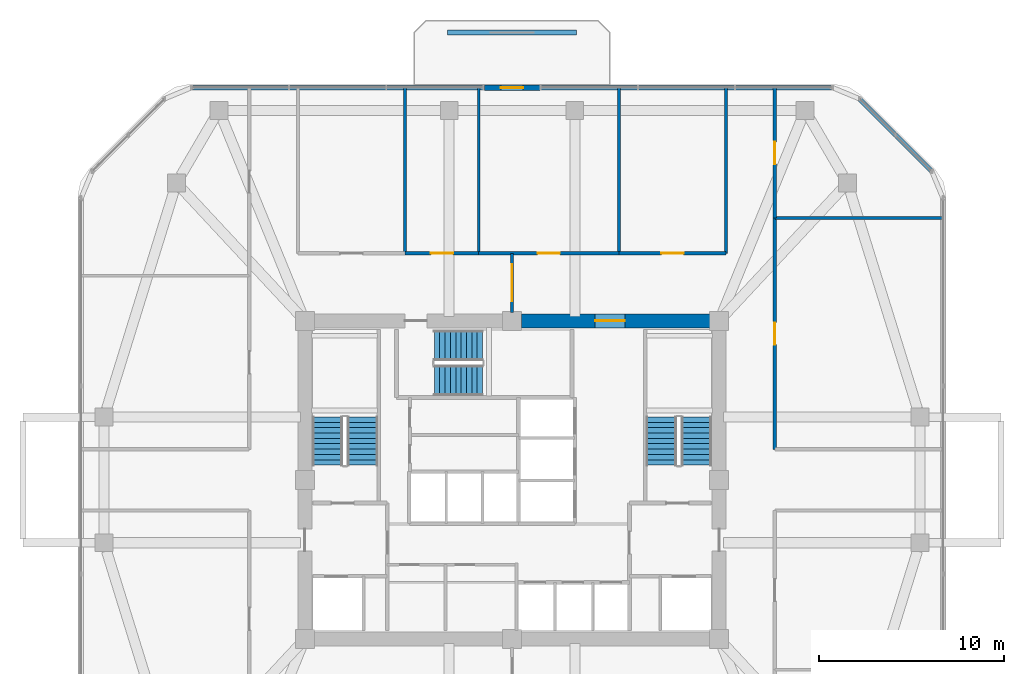
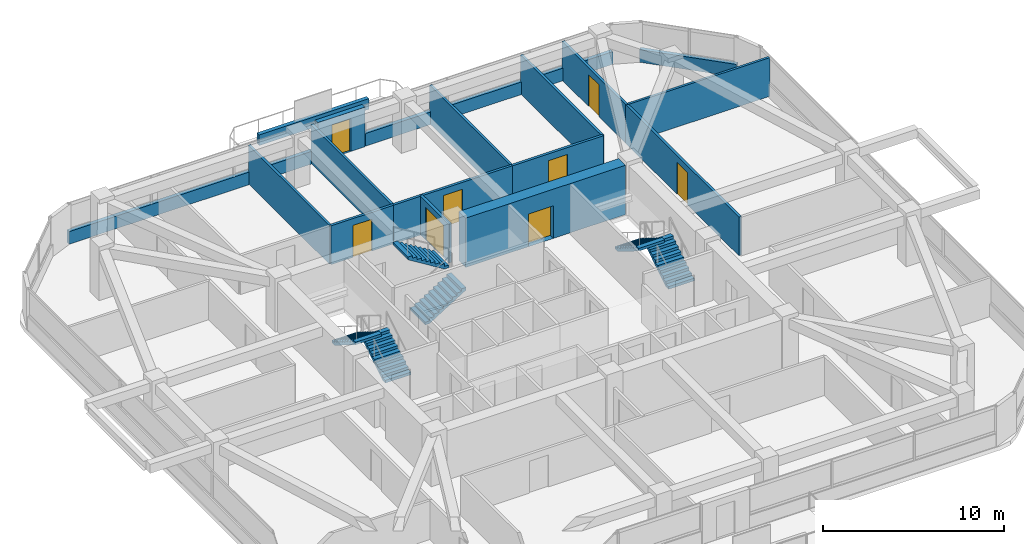
# One storey, part 9 of 11: 17 walls, 8 doors, 6 stair flights, 8 openings, 3 elements without a shape of their own.
"""IFC4 building model written with IfcOpenShell, lengths in metres."""

import ifcopenshell
import ifcopenshell.guid

model = None  # the IFC model being written
_history = None  # IfcOwnerHistory: only IFC2X3 demands one
_inside = {}  # id of a spatial element -> (the spatial element, [elements in it])
_under = {}  # id of a project, library or spatial element -> (it, [spatial elements below it])
_declared = {}  # id of a project -> (the project, [libraries it declares])
_typed = {}  # id of a type object -> (the type object, [elements of that type])
_made_of = {}  # id of a material, layer set ... -> (it, [elements and type objects made of it])


def new_model(schema):
    """Start an empty IFC model of exactly this schema.

    Asked for "IFC4X3", IfcOpenShell would pick the latest addendum, in which some entities
    have other attributes; the version numbers below select the first issue.
    IFC2X3 requires an IfcOwnerHistory on every rooted entity: one is made here for all.
    """
    global model, _history
    if schema == "IFC4X3":
        model = ifcopenshell.file(schema_version=(4, 3, 0, 0))
    else:
        model = ifcopenshell.file(schema=schema)
    _inside.clear()
    _under.clear()
    _declared.clear()
    _typed.clear()
    _made_of.clear()
    _history = None
    if model.schema == "IFC2X3":
        org = make("IfcOrganization", Name="unknown")
        user = make(
            "IfcPersonAndOrganization",
            ThePerson=make("IfcPerson", FamilyName="unknown"),
            TheOrganization=org,
        )
        app = make(
            "IfcApplication",
            ApplicationDeveloper=org,
            Version="unknown",
            ApplicationFullName="unknown",
            ApplicationIdentifier="unknown",
        )
        _history = make(
            "IfcOwnerHistory",
            OwningUser=user,
            OwningApplication=app,
            ChangeAction="ADDED",
            CreationDate=0,
        )
    return model


def make(cls, **values):
    """One entity of the class cls with the attributes given. An attribute that is None is left unset."""
    return model.create_entity(
        cls, **{name: value for name, value in values.items() if value is not None}
    )


def rooted(cls, **values):
    """An entity with a GlobalId (a new one), such as an element, a storey or a relation."""
    return make(cls, GlobalId=ifcopenshell.guid.new(), OwnerHistory=_history, **values)


def si_unit(unit_type, name, prefix=None):
    """IfcSIUnit, for example si_unit("LENGTHUNIT", "METRE", prefix="MILLI")."""
    return make("IfcSIUnit", UnitType=unit_type, Prefix=prefix, Name=name)


def derived_unit(unit_type, elements):
    """IfcDerivedUnit: a product of units, each with its exponent."""
    return make(
        "IfcDerivedUnit",
        Elements=[
            make("IfcDerivedUnitElement", Unit=unit, Exponent=power)
            for unit, power in elements
        ],
        UnitType=unit_type,
    )


def assignment(units):
    """IfcUnitAssignment: the units of a project."""
    return None if units is None else make("IfcUnitAssignment", Units=units)


def point(xyz):
    """IfcCartesianPoint."""
    return None if xyz is None else make("IfcCartesianPoint", Coordinates=xyz)


def direction(xyz):
    """IfcDirection."""
    return None if xyz is None else make("IfcDirection", DirectionRatios=xyz)


def frame(location, z_axis=None, x_axis=None):
    """IfcAxis2Placement3D, a coordinate frame: its origin and axes. An axis left out is left unset."""
    return make(
        "IfcAxis2Placement3D",
        Location=point(location),
        Axis=direction(z_axis),
        RefDirection=direction(x_axis),
    )


def frame_2d(location, x_axis=None):
    """IfcAxis2Placement2D, a coordinate frame in the plane: its origin and x axis."""
    return make(
        "IfcAxis2Placement2D", Location=point(location), RefDirection=direction(x_axis)
    )


def origin():
    """The frame at (0, 0, 0) with its axes left unset."""
    return frame((0.0, 0.0, 0.0))


def place(relative_to, where):
    """IfcLocalPlacement: puts the frame where relative to a parent placement (None: the world)."""
    return make(
        "IfcLocalPlacement", PlacementRelTo=relative_to, RelativePlacement=where
    )


def context(
    kind, dimensions, precision=None, world=None, true_north=None, identifier=None
):
    """IfcGeometricRepresentationContext, for example the 3D "Model" context."""
    return make(
        "IfcGeometricRepresentationContext",
        ContextIdentifier=identifier,
        ContextType=kind,
        CoordinateSpaceDimension=dimensions,
        Precision=precision,
        WorldCoordinateSystem=world,
        TrueNorth=true_north,
    )


def subcontext(parent, identifier, kind, view, scale=None):
    """IfcGeometricRepresentationSubContext, for example "Body" below "Model"."""
    return make(
        "IfcGeometricRepresentationSubContext",
        ContextIdentifier=identifier,
        ContextType=kind,
        ParentContext=parent,
        TargetScale=scale,
        TargetView=view,
    )


def project(units=None, contexts=None):
    """IfcProject with its units and contexts."""
    return rooted(
        "IfcProject",
        Name="project",
        RepresentationContexts=contexts,
        UnitsInContext=assignment(units),
    )


def spatial(cls, under=None, at=None, **own):
    """A site, building, storey or space (cls), placed at a placement, below another one or the project."""
    s = rooted(cls, ObjectPlacement=at, **own)
    if under is not None:
        _under.setdefault(under.id(), (under, []))[1].append(s)
    return s


def polyline(points):
    """IfcPolyline through the points."""
    return make("IfcPolyline", Points=[point(p) for p in points])


def profile(cls, at=None, kind="AREA", **sizes):
    """A parametric profile (cls). Its sizes go by their IFC names, for example OverallWidth=200.0."""
    return make(cls, ProfileType=kind, Position=at, **sizes)


def rectangle(**sizes):
    """IfcRectangleProfileDef."""
    return profile("IfcRectangleProfileDef", **sizes)


def outline(outer, holes=None, kind="AREA"):
    """IfcArbitraryClosedProfileDef: a profile drawn as a closed curve; with holes, ...WithVoids."""
    if holes is None:
        return make("IfcArbitraryClosedProfileDef", ProfileType=kind, OuterCurve=outer)
    return make(
        "IfcArbitraryProfileDefWithVoids",
        ProfileType=kind,
        OuterCurve=outer,
        InnerCurves=holes,
    )


def extrude(swept, where, along, depth):
    """IfcExtrudedAreaSolid: the profile swept, set in the frame where, extruded along a direction by depth."""
    return make(
        "IfcExtrudedAreaSolid",
        SweptArea=swept,
        Position=where,
        ExtrudedDirection=direction(along),
        Depth=depth,
    )


def shape(context_of_items, identifier, shape_type, items):
    """IfcShapeRepresentation: the items that make up one representation, for example the "Body"."""
    return make(
        "IfcShapeRepresentation",
        ContextOfItems=context_of_items,
        RepresentationIdentifier=identifier,
        RepresentationType=shape_type,
        Items=items,
    )


def material(Name=None, Category=None):
    """IfcMaterial."""
    return make("IfcMaterial", Name=Name, Category=Category)


def layer(
    of_material, thickness, ventilated=None, Name=None, Category=None, Priority=None
):
    """IfcMaterialLayer: one layer of a wall or slab, of a material (None: an air gap)."""
    return make(
        "IfcMaterialLayer",
        Material=of_material,
        LayerThickness=thickness,
        IsVentilated=ventilated,
        Name=Name,
        Category=Category,
        Priority=Priority,
    )


def layer_set(layers, Name=None):
    """IfcMaterialLayerSet."""
    return make("IfcMaterialLayerSet", MaterialLayers=layers, LayerSetName=Name)


def made_of(thing, what):
    """Note that an element or type object is made of a material, layer set ...; save() writes the relation."""
    if what is not None:
        _made_of.setdefault(what.id(), (what, []))[1].append(thing)
    return thing


def type_object(cls, material=None, **own):
    """A type object (cls), such as IfcWallType, which elements share."""
    return made_of(rooted(cls, **own), material)


def element(
    cls,
    number,
    at=None,
    inside=None,
    cuts=None,
    type_object=None,
    material=None,
    context=None,
    identifier="Body",
    shape_type=None,
    held_by="IfcProductDefinitionShape",
    body=None,
    shapes=None,
    **own,
):
    """One element of the class cls, such as IfcWall. Its Tag is "e" and its number.

    at: its placement. inside: the storey or other place that contains it. cuts: it is an
    opening in that element (IfcRelVoidsElement). A single representation is given by context,
    identifier, shape_type and body (its items); several are given by shapes. held_by: the class
    of the entity that holds the representations. save() writes the other relations.
    """
    e = rooted(cls, Tag="e%d" % number, ObjectPlacement=at, **own)
    if body is not None:
        shapes = [shape(context, identifier, shape_type, body)]
    if shapes is not None:
        e.Representation = make(held_by, Representations=shapes)
    if inside is not None:
        _inside.setdefault(inside.id(), (inside, []))[1].append(e)
    if cuts is not None:
        rooted(
            "IfcRelVoidsElement", RelatingBuildingElement=cuts, RelatedOpeningElement=e
        )
    if type_object is not None:
        _typed.setdefault(type_object.id(), (type_object, []))[1].append(e)
    return made_of(e, material)


def fill(opening, filler):
    """IfcRelFillsElement: the door or window that sits in an opening."""
    return rooted(
        "IfcRelFillsElement",
        RelatingOpeningElement=opening,
        RelatedBuildingElement=filler,
    )


def aggregate(whole, parts):
    """IfcRelAggregates: a whole, such as a stair, and the parts it consists of."""
    return rooted("IfcRelAggregates", RelatingObject=whole, RelatedObjects=parts)


def save(model, path):
    """Write the relations noted so far, then the file.

    IfcRelAggregates (storeys below a building ...), IfcRelContainedInSpatialStructure (elements
    in a storey), IfcRelDefinesByType, IfcRelAssociatesMaterial and IfcRelDeclares: one each for
    every whole, place, type object, material and project.
    """
    for whole, parts in _under.values():
        aggregate(whole, parts)
    for where, things in _inside.values():
        rooted(
            "IfcRelContainedInSpatialStructure",
            RelatedElements=things,
            RelatingStructure=where,
        )
    for kind, things in _typed.values():
        rooted("IfcRelDefinesByType", RelatedObjects=things, RelatingType=kind)
    for what, things in _made_of.values():
        rooted("IfcRelAssociatesMaterial", RelatedObjects=things, RelatingMaterial=what)
    for by, libraries in _declared.values():
        rooted("IfcRelDeclares", RelatingContext=by, RelatedDefinitions=libraries)
    model.write(path)


model = new_model("IFC4")

# Units and contexts
model_context = context("Model", 3, precision=1e-05, world=origin(), true_north=direction((0.0, 1.0)))
body_context = subcontext(model_context, "Body", "Model", "MODEL_VIEW")
ifc_project = project(units=[si_unit("LENGTHUNIT", "METRE"), si_unit("AREAUNIT", "SQUARE_METRE"), si_unit("VOLUMEUNIT", "CUBIC_METRE"), si_unit("PLANEANGLEUNIT", "RADIAN"), si_unit("MASSUNIT", "GRAM", prefix="KILO"), derived_unit("THERMALTRANSMITTANCEUNIT", [(si_unit("POWERUNIT", "WATT"), 1), (si_unit("LENGTHUNIT", "METRE"), -2), (si_unit("THERMODYNAMICTEMPERATUREUNIT", "KELVIN"), -1)])], contexts=[model_context])

# Site, building, storey
site_placement = place(None, origin())
site = spatial("IfcSite", under=ifc_project, at=site_placement, CompositionType="ELEMENT")
building_placement = place(site_placement, origin())
building = spatial("IfcBuilding", under=site, at=building_placement, Name="Koralith Skygarden Medical Center", CompositionType="ELEMENT")
storey_placement = place(building_placement, frame((0.0, 0.0, 167.219970703125)))
storey = spatial("IfcBuildingStorey", under=building, at=storey_placement, Name="L43", CompositionType="ELEMENT", Elevation=167.219970703125)

# Walls
ifc_material_1 = material(Name="Gypsum Board Partition")
ifc_layer_1 = layer(ifc_material_1, 0.14990234375)
ifc_layer_set_1 = layer_set([ifc_layer_1], Name="Gypsum Board Partition")
wall_type_1 = type_object("IfcWallType", Name="Clinical Acoustic Partition 150", PredefinedType="PARTITIONING", material=ifc_layer_set_1)
for number, where, z_axis, x_axis, name in (
    (1, (31.219970703125, 38.159912109375, 0.0), (0.0, 0.0, 1.0), (0.0, 1.0, 0.0), "L43 Clinical Acoustic Partition 150 W-PART-L43-N-01"),
    (2, (35.199951171875, 38.159912109375, 0.0), (0.0, 0.0, 1.0), (0.0, 1.0, 0.0), "L43 Clinical Acoustic Partition 150 W-PART-L43-N-02"),
    (3, (42.780029296875, 38.159912109375, 0.0), (0.0, 0.0, 1.0), (0.0, 1.0, 0.0), "L43 Clinical Acoustic Partition 150 W-PART-L43-N-03"),
):
    element("IfcWall", number, at=place(storey_placement, frame(where, z_axis=z_axis, x_axis=x_axis)), inside=storey, type_object=wall_type_1, Name=name, PredefinedType="PARTITIONING", context=body_context, shape_type="SweptSolid", body=[
        extrude(rectangle(XDim=8.940185546875, YDim=0.14990234375, at=frame_2d((4.47021484375, 0.0))), origin(), (0.0, 0.0, 1.0), 2.610107421875),
    ])
wall_1_placement = place(storey_placement, frame((51.2099609375, 40.06591796875, 0.0), z_axis=(0.0, 0.0, 1.0), x_axis=(1.0, 0.0, 0.0)))
element("IfcWall", 4, at=wall_1_placement, inside=storey, type_object=wall_type_1, Name="L43 Clinical Acoustic Partition 150 W-PART-L43-EN-01", PredefinedType="PARTITIONING", context=body_context, shape_type="SweptSolid", body=[
    extrude(rectangle(XDim=9.073974609375, YDim=0.14990234375, at=frame_2d((4.537109375, 0.0))), origin(), (0.0, 0.0, 1.0), 2.610107421875),
])
ifc_layer_2 = layer(ifc_material_1, 0.1650390625)
ifc_layer_set_2 = layer_set([ifc_layer_2], Name="Gypsum Board Partition")
wall_type_2 = type_object("IfcWallType", Name="Clinical Corridor Partition 165", PredefinedType="PARTITIONING", material=ifc_layer_set_2)
wall_2_placement = place(storey_placement, frame((48.570068359375, 38.159912109375, 0.0), z_axis=(0.0, 0.0, 1.0), x_axis=(0.0, 1.0, 0.0)))
element("IfcWall", 5, at=wall_2_placement, inside=storey, type_object=wall_type_2, Name="L43 Clinical Corridor Partition 165 W-HCOR-L43-NE", PredefinedType="PARTITIONING", context=body_context, shape_type="SweptSolid", body=[
    extrude(rectangle(XDim=8.940185546875, YDim=0.1650390625, at=frame_2d((4.47021484375, 0.0))), origin(), (0.0, 0.0, 1.0), 2.610107421875),
])

# Wall, opening, door
wall_3_placement = place(storey_placement, frame((31.219970703125, 38.159912109375, 0.0), z_axis=(0.0, 0.0, 1.0), x_axis=(1.0, 0.0, 0.0)))
wall_3 = element("IfcWall", 6, at=wall_3_placement, inside=storey, type_object=wall_type_2, Name="L43 Clinical Corridor Partition 165 W-CORR-L43-N-02", PredefinedType="PARTITIONING", context=body_context, shape_type="SweptSolid", body=[
    extrude(rectangle(XDim=3.97998046875, YDim=0.1650390625, at=frame_2d((1.989990234375, 0.0))), origin(), (0.0, 0.0, 1.0), 2.610107421875),
])
opening_1_placement = place(wall_3_placement, frame((1.389892578125, 0.0, 0.0)))
opening_1 = element("IfcOpeningElement", 7, at=opening_1_placement, cuts=wall_3, Name="Opening D-CLN", PredefinedType="OPENING", context=body_context, shape_type="SweptSolid", body=[
    extrude(rectangle(XDim=1.199951171875, YDim=2.14990234375, at=frame_2d((0.60009765625, 1.074951171875))), frame((0.0, 0.092529296875, 0.0), z_axis=(0.0, -1.0, 0.0), x_axis=(1.0, 0.0, 0.0)), (0.0, 0.0, 1.0), 0.18505859375),
])
ifc_material_2 = material(Name="Aluminium 6063-T6", Category="aluminium")
door_type_1 = type_object("IfcDoorType", Name="Clinical Corridor Door D-CLN 1200", OperationType="NOTDEFINED", PredefinedType="DOOR", material=ifc_material_2)
door_1_placement = place(opening_1_placement, origin())
door_1 = element("IfcDoor", 8, at=door_1_placement, inside=storey, type_object=door_type_1, Name="L43 Balance Therapy Exercise Hall 02 Door", OperationType="SINGLE_SWING_LEFT", OverallHeight=2.14990234375, OverallWidth=1.199951171875, PredefinedType="DOOR", context=body_context, shape_type="SweptSolid", body=[
    extrude(rectangle(XDim=1.199951171875, YDim=2.14990234375, at=frame_2d((0.60009765625, 1.074951171875))), frame((0.0, 0.02490234375, 0.0), z_axis=(0.0, -1.0, 0.0), x_axis=(1.0, 0.0, 0.0)), (0.0, 0.0, 1.0), 0.050048828125),
])
fill(opening_1, door_1)

wall_4_placement = place(storey_placement, frame((35.199951171875, 38.159912109375, 0.0), z_axis=(0.0, 0.0, 1.0), x_axis=(1.0, 0.0, 0.0)))
wall_4 = element("IfcWall", 9, at=wall_4_placement, inside=storey, type_object=wall_type_2, Name="L43 Clinical Corridor Partition 165 W-CORR-L43-N-03", PredefinedType="PARTITIONING", context=body_context, shape_type="SweptSolid", body=[
    extrude(rectangle(XDim=7.580078125, YDim=0.1650390625, at=frame_2d((3.7900390625, 0.0))), origin(), (0.0, 0.0, 1.0), 2.610107421875),
])
opening_2_placement = place(wall_4_placement, frame((3.18994140625, 0.0, 0.0)))
opening_2 = element("IfcOpeningElement", 10, at=opening_2_placement, cuts=wall_4, Name="Opening D-CLN", PredefinedType="OPENING", context=body_context, shape_type="SweptSolid", body=[
    extrude(rectangle(XDim=1.199951171875, YDim=2.14990234375, at=frame_2d((0.60009765625, 1.074951171875))), frame((0.0, 0.092529296875, 0.0), z_axis=(0.0, -1.0, 0.0), x_axis=(1.0, 0.0, 0.0)), (0.0, 0.0, 1.0), 0.18505859375),
])
door_2_placement = place(opening_2_placement, origin())
door_2 = element("IfcDoor", 11, at=door_2_placement, inside=storey, type_object=door_type_1, Name="L43 Patient and Family Sky-Garden Day Lounge 03 Door", OperationType="SINGLE_SWING_RIGHT", OverallHeight=2.14990234375, OverallWidth=1.199951171875, PredefinedType="DOOR", context=body_context, shape_type="SweptSolid", body=[
    extrude(rectangle(XDim=1.199951171875, YDim=2.14990234375, at=frame_2d((0.60009765625, 1.074951171875))), frame((0.0, 0.02490234375, 0.0), z_axis=(0.0, -1.0, 0.0), x_axis=(1.0, 0.0, 0.0)), (0.0, 0.0, 1.0), 0.050048828125),
])
fill(opening_2, door_2)

wall_5_placement = place(storey_placement, frame((42.780029296875, 38.159912109375, 0.0), z_axis=(0.0, 0.0, 1.0), x_axis=(1.0, 0.0, 0.0)))
wall_5 = element("IfcWall", 12, at=wall_5_placement, inside=storey, type_object=wall_type_2, Name="L43 Clinical Corridor Partition 165 W-CORR-L43-N-04", PredefinedType="PARTITIONING", context=body_context, shape_type="SweptSolid", body=[
    extrude(rectangle(XDim=5.7900390625, YDim=0.1650390625, at=frame_2d((2.89501953125, 0.0))), origin(), (0.0, 0.0, 1.0), 2.610107421875),
])
opening_3_placement = place(wall_5_placement, frame((2.294921875, 0.0, 0.0)))
opening_3 = element("IfcOpeningElement", 13, at=opening_3_placement, cuts=wall_5, Name="Opening D-CLN", PredefinedType="OPENING", context=body_context, shape_type="SweptSolid", body=[
    extrude(rectangle(XDim=1.199951171875, YDim=2.14990234375, at=frame_2d((0.60009765625, 1.074951171875))), frame((0.0, 0.092529296875, 0.0), z_axis=(0.0, -1.0, 0.0), x_axis=(1.0, 0.0, 0.0)), (0.0, 0.0, 1.0), 0.18505859375),
])
door_3_placement = place(opening_3_placement, origin())
door_3 = element("IfcDoor", 14, at=door_3_placement, inside=storey, type_object=door_type_1, Name="L43 Physiatry Consult Office 04 Door", OperationType="SINGLE_SWING_LEFT", OverallHeight=2.14990234375, OverallWidth=1.199951171875, PredefinedType="DOOR", context=body_context, shape_type="SweptSolid", body=[
    extrude(rectangle(XDim=1.199951171875, YDim=2.14990234375, at=frame_2d((0.60009765625, 1.074951171875))), frame((0.0, 0.02490234375, 0.0), z_axis=(0.0, -1.0, 0.0), x_axis=(1.0, 0.0, 0.0)), (0.0, 0.0, 1.0), 0.050048828125),
])
fill(opening_3, door_3)

wall_6_placement = place(storey_placement, frame((51.2099609375, 27.56005859375, 0.0), z_axis=(0.0, 0.0, 1.0), x_axis=(0.0, 1.0, 0.0)))
wall_6 = element("IfcWall", 15, at=wall_6_placement, inside=storey, type_object=wall_type_2, Name="L43 Clinical Corridor Partition 165 W-CORR-L43-EN-01", PredefinedType="PARTITIONING", context=body_context, shape_type="SweptSolid", body=[
    extrude(rectangle(XDim=12.505859375, YDim=0.1650390625, at=frame_2d((6.2529296875, 0.0))), origin(), (0.0, 0.0, 1.0), 2.610107421875),
])
opening_4_placement = place(wall_6_placement, frame((5.653076171875, 0.0, 0.0)))
opening_4 = element("IfcOpeningElement", 16, at=opening_4_placement, cuts=wall_6, Name="Opening D-CLN", PredefinedType="OPENING", context=body_context, shape_type="SweptSolid", body=[
    extrude(rectangle(XDim=1.199951171875, YDim=2.14990234375, at=frame_2d((0.60009765625, 1.074951171875))), frame((0.0, 0.092529296875, 0.0), z_axis=(0.0, -1.0, 0.0), x_axis=(1.0, 0.0, 0.0)), (0.0, 0.0, 1.0), 0.18505859375),
])
door_4_placement = place(opening_4_placement, origin())
door_4 = element("IfcDoor", 17, at=door_4_placement, inside=storey, type_object=door_type_1, Name="L43 Physiatry Consult Office 13 Door", OperationType="SINGLE_SWING_RIGHT", OverallHeight=2.14990234375, OverallWidth=1.199951171875, PredefinedType="DOOR", context=body_context, shape_type="SweptSolid", body=[
    extrude(rectangle(XDim=1.199951171875, YDim=2.14990234375, at=frame_2d((0.60009765625, 1.074951171875))), frame((0.0, 0.02490234375, 0.0), z_axis=(0.0, -1.0, 0.0), x_axis=(1.0, 0.0, 0.0)), (0.0, 0.0, 1.0), 0.050048828125),
])
fill(opening_4, door_4)

wall_7_placement = place(storey_placement, frame((51.2099609375, 40.06591796875, 0.0), z_axis=(0.0, 0.0, 1.0), x_axis=(0.0, 1.0, 0.0)))
wall_7 = element("IfcWall", 18, at=wall_7_placement, inside=storey, type_object=wall_type_2, Name="L43 Clinical Corridor Partition 165 W-CORR-L43-EN-02", PredefinedType="PARTITIONING", context=body_context, shape_type="SweptSolid", body=[
    extrude(rectangle(XDim=7.0341796875, YDim=0.1650390625, at=frame_2d((3.51708984375, 0.0))), origin(), (0.0, 0.0, 1.0), 2.610107421875),
])
opening_5_placement = place(wall_7_placement, frame((2.9169921875, 0.0, 0.0)))
opening_5 = element("IfcOpeningElement", 19, at=opening_5_placement, cuts=wall_7, Name="Opening D-CLN", PredefinedType="OPENING", context=body_context, shape_type="SweptSolid", body=[
    extrude(rectangle(XDim=1.199951171875, YDim=2.14990234375, at=frame_2d((0.60009765625, 1.074951171875))), frame((0.0, 0.092529296875, 0.0), z_axis=(0.0, -1.0, 0.0), x_axis=(1.0, 0.0, 0.0)), (0.0, 0.0, 1.0), 0.18505859375),
])
door_5_placement = place(opening_5_placement, origin())
door_5 = element("IfcDoor", 20, at=door_5_placement, inside=storey, type_object=door_type_1, Name="L43 Clinical Consultation Office 14 Door", OperationType="SINGLE_SWING_LEFT", OverallHeight=2.14990234375, OverallWidth=1.199951171875, PredefinedType="DOOR", context=body_context, shape_type="SweptSolid", body=[
    extrude(rectangle(XDim=1.199951171875, YDim=2.14990234375, at=frame_2d((0.60009765625, 1.074951171875))), frame((0.0, 0.02490234375, 0.0), z_axis=(0.0, -1.0, 0.0), x_axis=(1.0, 0.0, 0.0)), (0.0, 0.0, 1.0), 0.050048828125),
])
fill(opening_5, door_5)

ifc_layer_3 = layer(ifc_material_1, 0.179931640625)
ifc_layer_set_3 = layer_set([ifc_layer_3], Name="Gypsum Board Partition")
wall_type_3 = type_object("IfcWallType", Name="Group I-2 Smoke Barrier Wall 180", PredefinedType="PARTITIONING", material=ifc_layer_set_3)
wall_8_placement = place(storey_placement, frame((37.0, 34.949951171875, 0.0), z_axis=(0.0, 0.0, 1.0), x_axis=(0.0, 1.0, 0.0)))
wall_8 = element("IfcWall", 21, at=wall_8_placement, inside=storey, type_object=wall_type_3, Name="L43 Group I-2 Smoke Barrier Wall 180 W-SMK-L43-N", PredefinedType="PARTITIONING", context=body_context, shape_type="SweptSolid", body=[
    extrude(rectangle(XDim=3.2099609375, YDim=0.179931640625, at=frame_2d((1.60498046875, 0.0))), origin(), (0.0, 0.0, 1.0), 2.610107421875),
])
opening_6_placement = place(wall_8_placement, frame((0.60498046875, 0.0, 0.0)))
opening_6 = element("IfcOpeningElement", 22, at=opening_6_placement, cuts=wall_8, Name="Opening D-SMK", PredefinedType="OPENING", context=body_context, shape_type="SweptSolid", body=[
    extrude(rectangle(XDim=2.0, YDim=2.199951171875, at=frame_2d((1.0, 1.10009765625))), frame((0.0, 0.099853515625, 0.0), z_axis=(0.0, -1.0, 0.0), x_axis=(1.0, 0.0, 0.0)), (0.0, 0.0, 1.0), 0.199951171875),
])
ifc_material_3 = material(Name="Steel ASTM A500 Grade C", Category="steel")
door_type_2 = type_object("IfcDoorType", Name="Cross-Corridor Double Smoke Door FD60S 2000", OperationType="NOTDEFINED", PredefinedType="DOOR", material=ifc_material_3)
door_6_placement = place(opening_6_placement, origin())
door_6 = element("IfcDoor", 23, at=door_6_placement, inside=storey, type_object=door_type_2, Name="L43 N Smoke Compartment Cross-Corridor Door", OperationType="DOUBLE_DOOR_SINGLE_SWING", OverallHeight=2.199951171875, OverallWidth=2.0, PredefinedType="DOOR", context=body_context, shape_type="SweptSolid", body=[
    extrude(rectangle(XDim=2.0, YDim=2.199951171875, at=frame_2d((1.0, 1.10009765625))), frame((0.0, 0.02490234375, 0.0), z_axis=(0.0, -1.0, 0.0), x_axis=(1.0, 0.0, 0.0)), (0.0, 0.0, 1.0), 0.050048828125),
])
fill(opening_6, door_6)

# Walls
ifc_material_4 = material(Name="Warm Oolitic Limestone Cladding", Category="masonry")
ifc_layer_4 = layer(ifc_material_4, 0.239990234375)
ifc_layer_set_4 = layer_set([ifc_layer_4], Name="Warm Oolitic Limestone Cladding")
wall_type_4 = type_object("IfcWallType", Name="Limestone Spandrel Sill Backup Wall 240", PredefinedType="SOLIDWALL", material=ifc_layer_set_4)
wall_9_placement = place(storey_placement, frame((59.702880859375, 42.595947265625, 0.0), z_axis=(0.0, 0.0, 1.0), x_axis=(-0.707084777957, 0.707128783731, 0.0)))
element("IfcWall", 24, at=wall_9_placement, inside=storey, type_object=wall_type_4, Name="L43 Sill Spandrel NE", PredefinedType="SOLIDWALL", context=body_context, shape_type="SweptSolid", body=[
    extrude(rectangle(XDim=5.5478515625, YDim=0.239990234375, at=frame_2d((2.77392578125, 0.0))), origin(), (0.0, 0.0, 1.0), 0.85009765625),
])
wall_10_placement = place(storey_placement, frame((54.3291015625, 47.1201171875, 0.0), z_axis=(0.0, 0.0, 1.0), x_axis=(-1.0, 0.0, 0.0)))
element("IfcWall", 25, at=wall_10_placement, inside=storey, type_object=wall_type_4, Name="L43 Sill Spandrel N-L", PredefinedType="SOLIDWALL", context=body_context, shape_type="SweptSolid", body=[
    extrude(rectangle(XDim=15.7880859375, YDim=0.239990234375, at=frame_2d((7.89404296875, 0.0))), origin(), (0.0, 0.0, 1.0), 0.85009765625),
])
wall_11_placement = place(storey_placement, frame((35.4609375, 47.1201171875, 0.0), z_axis=(0.0, 0.0, 1.0), x_axis=(-1.0, 0.0, 0.0)))
element("IfcWall", 26, at=wall_11_placement, inside=storey, type_object=wall_type_4, Name="L43 Sill Spandrel N-R", PredefinedType="SOLIDWALL", context=body_context, shape_type="SweptSolid", body=[
    extrude(rectangle(XDim=15.7900390625, YDim=0.239990234375, at=frame_2d((7.89501953125, 0.0))), origin(), (0.0, 0.0, 1.0), 0.85009765625),
])

# Wall, opening, door
ifc_material_5 = material(Name="Concrete C70/85", Category="concrete")
ifc_layer_5 = layer(ifc_material_5, 0.75)
ifc_layer_set_5 = layer_set([ifc_layer_5], Name="Concrete C70/85")
wall_type_5 = type_object("IfcWallType", Name="Mid Core Shear Wall 750", PredefinedType="SHEAR", material=ifc_layer_set_5)
wall_12_placement = place(storey_placement, frame((47.695068359375, 34.5, 0.0), z_axis=(0.0, 0.0, 1.0), x_axis=(-1.0, 0.0, 0.0)))
wall_12 = element("IfcWall", 27, at=wall_12_placement, inside=storey, type_object=wall_type_5, Name="L43 Core Shear Wall Segment 5", PredefinedType="SHEAR", context=body_context, shape_type="SweptSolid", body=[
    extrude(rectangle(XDim=10.190185546875, YDim=0.75, at=frame_2d((5.09521484375, 0.0))), origin(), (0.0, 0.0, 1.0), 3.320068359375),
])
opening_7_placement = place(wall_12_placement, frame((4.594970703125, 0.0, 0.0)))
opening_7 = element("IfcOpeningElement", 28, at=opening_7_placement, cuts=wall_12, Name="Opening D-DBL", PredefinedType="OPENING", context=body_context, shape_type="SweptSolid", body=[
    extrude(rectangle(XDim=1.60009765625, YDim=2.199951171875, at=frame_2d((0.800048828125, 1.10009765625))), frame((0.0, 0.385009765625, 0.0), z_axis=(0.0, -1.0, 0.0), x_axis=(1.0, 0.0, 0.0)), (0.0, 0.0, 1.0), 0.77001953125),
])
door_type_3 = type_object("IfcDoorType", Name="Double Clinical Suite Door D-DBL 1600", OperationType="NOTDEFINED", PredefinedType="DOOR", material=ifc_material_2)
door_7_placement = place(opening_7_placement, frame((1.60009765625, 0.0, 0.0), z_axis=(0.0, 0.0, 1.0), x_axis=(-1.0, 0.0, 0.0)))
door_7 = element("IfcDoor", 29, at=door_7_placement, inside=storey, type_object=door_type_3, Name="L43 North-East Corridor to Elevator Lobby Door", OperationType="DOUBLE_DOOR_SINGLE_SWING", OverallHeight=2.199951171875, OverallWidth=1.60009765625, PredefinedType="DOOR", context=body_context, shape_type="SweptSolid", body=[
    extrude(rectangle(XDim=1.60009765625, YDim=2.199951171875, at=frame_2d((0.800048828125, 1.10009765625))), frame((0.0, 0.02490234375, 0.0), z_axis=(0.0, -1.0, 0.0), x_axis=(1.0, 0.0, 0.0)), (0.0, 0.0, 1.0), 0.050048828125),
])
fill(opening_7, door_7)

ifc_layer_6 = layer(ifc_material_4, 0.300048828125)
ifc_layer_set_6 = layer_set([ifc_layer_6], Name="Warm Oolitic Limestone Cladding")
wall_type_6 = type_object("IfcWallType", Name="Oolitic Limestone Insulated Facade Wall 300", PredefinedType="SOLIDWALL", material=ifc_layer_set_6)
wall_13_placement = place(storey_placement, frame((38.5009765625, 47.1201171875, 0.0), z_axis=(0.0, 0.0, 1.0), x_axis=(-1.0, 0.0, 0.0)))
wall_13 = element("IfcWall", 30, at=wall_13_placement, inside=storey, type_object=wall_type_6, Name="L43 Terrace Portal Wall N", PredefinedType="SOLIDWALL", context=body_context, shape_type="SweptSolid", body=[
    extrude(rectangle(XDim=3.0, YDim=0.300048828125, at=frame_2d((1.5, 0.0))), origin(), (0.0, 0.0, 1.0), 2.669921875),
])
opening_8_placement = place(wall_13_placement, frame((0.89990234375, 0.0, 0.0)))
opening_8 = element("IfcOpeningElement", 31, at=opening_8_placement, cuts=wall_13, Name="Opening D-BAL", PredefinedType="OPENING", context=body_context, shape_type="SweptSolid", body=[
    extrude(rectangle(XDim=1.199951171875, YDim=2.199951171875, at=frame_2d((0.60009765625, 1.10009765625))), frame((0.0, 0.159912109375, 0.0), z_axis=(0.0, -1.0, 0.0), x_axis=(1.0, 0.0, 0.0)), (0.0, 0.0, 1.0), 0.320068359375),
])
door_type_4 = type_object("IfcDoorType", Name="Planted Balcony Glazed Terrace Door D-BAL 1200", OperationType="NOTDEFINED", PredefinedType="DOOR", material=ifc_material_2)
door_8_placement = place(opening_8_placement, origin())
door_8 = element("IfcDoor", 32, at=door_8_placement, inside=storey, type_object=door_type_4, Name="L43 N Outdoor Terrace Access Door", OperationType="SINGLE_SWING_RIGHT", OverallHeight=2.199951171875, OverallWidth=1.199951171875, PredefinedType="DOOR", context=body_context, shape_type="SweptSolid", body=[
    extrude(rectangle(XDim=1.199951171875, YDim=2.199951171875, at=frame_2d((0.60009765625, 1.10009765625))), frame((0.0, 0.02490234375, 0.0), z_axis=(0.0, -1.0, 0.0), x_axis=(1.0, 0.0, 0.0)), (0.0, 0.0, 1.0), 0.050048828125),
])
fill(opening_8, door_8)

# Wall
ifc_material_6 = material(Name="Precast concrete C40/50", Category="concrete")
ifc_layer_7 = layer(ifc_material_6, 0.25)
ifc_layer_set_7 = layer_set([ifc_layer_7], Name="Precast concrete C40/50")
wall_type_7 = type_object("IfcWallType", Name="Structural Concrete Balcony Planter Kerb 250", PredefinedType="PARAPET", material=ifc_layer_set_7)
wall_14_placement = place(storey_placement, frame((33.5, 50.10009765625, 0.0), z_axis=(0.0, 0.0, 1.0), x_axis=(1.0, 0.0, 0.0)))
element("IfcWall", 33, at=wall_14_placement, inside=storey, type_object=wall_type_7, Name="L43 N Structural Tree PLANTER Box", PredefinedType="PARAPET", context=body_context, shape_type="SweptSolid", body=[
    extrude(rectangle(XDim=7.0, YDim=0.25, at=frame_2d((3.5, 0.0))), origin(), (0.0, 0.0, 1.0), 0.719970703125),
])

# Stair, stair flights
ifc_material_7 = material(Name="Concrete C45/55", Category="concrete")
stair_type = type_object("IfcStairType", Name="Core Exit Dogleg Concrete Stair", PredefinedType="HALF_TURN_STAIR", material=ifc_material_7)
stair_1_placement = place(storey_placement, origin())
stair_1 = element("IfcStair", 34, at=stair_1_placement, inside=storey, type_object=stair_type, Name="L43 Smokeproof Exit Stair ST1", PredefinedType="HALF_TURN_STAIR")
stair_flight_type = type_object("IfcStairFlightType", Name="Core Exit Concrete Stair Flight 1650", PredefinedType="STRAIGHT", material=ifc_material_7)
stair_flight_1_placement = place(storey_placement, frame((28.925048828125, 26.699951171875, 0.0), z_axis=(0.0, 0.0, 1.0), x_axis=(0.0, 1.0, 0.0)))
stair_flight_1 = element("IfcStairFlight", 35, at=stair_flight_1_placement, type_object=stair_flight_type, Name="ST1 flight 1", NumberOfRisers=10, NumberOfTreads=9, PredefinedType="STRAIGHT", RiserHeight=0.18, TreadLength=0.29, context=body_context, shape_type="SweptSolid", body=[
    extrude(outline(polyline([(0.0, 0.0), (0.0, 0.179931640625), (0.2900390625, 0.179931640625), (0.2900390625, 0.360107421875), (0.580078125, 0.360107421875), (0.580078125, 0.5400390625), (0.8701171875, 0.5400390625), (0.8701171875, 0.719970703125), (1.159912109375, 0.719970703125), (1.159912109375, 0.89990234375), (1.449951171875, 0.89990234375), (1.449951171875, 1.080078125), (1.739990234375, 1.080078125), (1.739990234375, 1.260009765625), (2.030029296875, 1.260009765625), (2.030029296875, 1.43994140625), (2.320068359375, 1.43994140625), (2.320068359375, 1.6201171875), (2.610107421875, 1.6201171875), (2.610107421875, 1.800048828125), (2.610107421875, 1.443603515625), (0.2841796875, 0.0), (0.0, 0.0)])), frame((0.0, 0.824951171875, 0.0), z_axis=(0.0, -1.0, 0.0), x_axis=(1.0, 0.0, 0.0)), (0.0, 0.0, 1.0), 1.64990234375),
])
stair_flight_2_placement = place(storey_placement, frame((27.02490234375, 29.31005859375, 1.800048828125), z_axis=(0.0, 0.0, 1.0), x_axis=(0.0, -1.0, 0.0)))
stair_flight_2 = element("IfcStairFlight", 36, at=stair_flight_2_placement, type_object=stair_flight_type, Name="ST1 flight 2", NumberOfRisers=10, NumberOfTreads=9, PredefinedType="STRAIGHT", RiserHeight=0.18, TreadLength=0.29, context=body_context, shape_type="SweptSolid", body=[
    extrude(outline(polyline([(0.0, 0.0), (0.0, 0.179931640625), (0.2900390625, 0.179931640625), (0.2900390625, 0.360107421875), (0.580078125, 0.360107421875), (0.580078125, 0.5400390625), (0.8701171875, 0.5400390625), (0.8701171875, 0.719970703125), (1.159912109375, 0.719970703125), (1.159912109375, 0.89990234375), (1.449951171875, 0.89990234375), (1.449951171875, 1.080078125), (1.739990234375, 1.080078125), (1.739990234375, 1.260009765625), (2.030029296875, 1.260009765625), (2.030029296875, 1.43994140625), (2.320068359375, 1.43994140625), (2.320068359375, 1.6201171875), (2.610107421875, 1.6201171875), (2.610107421875, 1.800048828125), (2.610107421875, 1.443603515625), (0.2841796875, 0.0), (0.0, 0.0)])), frame((0.0, 0.824951171875, 0.0), z_axis=(0.0, -1.0, 0.0), x_axis=(1.0, 0.0, 0.0)), (0.0, 0.0, 1.0), 1.64990234375),
])
aggregate(stair_1, [stair_flight_1, stair_flight_2])

stair_2_placement = place(storey_placement, origin())
stair_2 = element("IfcStair", 37, at=stair_2_placement, inside=storey, type_object=stair_type, Name="L43 Smokeproof Exit Stair ST2", PredefinedType="HALF_TURN_STAIR")
stair_flight_3_placement = place(storey_placement, frame((46.97509765625, 26.699951171875, 0.0), z_axis=(0.0, 0.0, 1.0), x_axis=(0.0, 1.0, 0.0)))
stair_flight_3 = element("IfcStairFlight", 38, at=stair_flight_3_placement, type_object=stair_flight_type, Name="ST2 flight 1", NumberOfRisers=10, NumberOfTreads=9, PredefinedType="STRAIGHT", RiserHeight=0.18, TreadLength=0.29, context=body_context, shape_type="SweptSolid", body=[
    extrude(outline(polyline([(0.0, 0.0), (0.0, 0.179931640625), (0.2900390625, 0.179931640625), (0.2900390625, 0.360107421875), (0.580078125, 0.360107421875), (0.580078125, 0.5400390625), (0.8701171875, 0.5400390625), (0.8701171875, 0.719970703125), (1.159912109375, 0.719970703125), (1.159912109375, 0.89990234375), (1.449951171875, 0.89990234375), (1.449951171875, 1.080078125), (1.739990234375, 1.080078125), (1.739990234375, 1.260009765625), (2.030029296875, 1.260009765625), (2.030029296875, 1.43994140625), (2.320068359375, 1.43994140625), (2.320068359375, 1.6201171875), (2.610107421875, 1.6201171875), (2.610107421875, 1.800048828125), (2.610107421875, 1.443603515625), (0.2841796875, 0.0), (0.0, 0.0)])), frame((0.0, 0.824951171875, 0.0), z_axis=(0.0, -1.0, 0.0), x_axis=(1.0, 0.0, 0.0)), (0.0, 0.0, 1.0), 1.64990234375),
])
stair_flight_4_placement = place(storey_placement, frame((45.074951171875, 29.31005859375, 1.800048828125), z_axis=(0.0, 0.0, 1.0), x_axis=(0.0, -1.0, 0.0)))
stair_flight_4 = element("IfcStairFlight", 39, at=stair_flight_4_placement, type_object=stair_flight_type, Name="ST2 flight 2", NumberOfRisers=10, NumberOfTreads=9, PredefinedType="STRAIGHT", RiserHeight=0.18, TreadLength=0.29, context=body_context, shape_type="SweptSolid", body=[
    extrude(outline(polyline([(0.0, 0.0), (0.0, 0.179931640625), (0.2900390625, 0.179931640625), (0.2900390625, 0.360107421875), (0.580078125, 0.360107421875), (0.580078125, 0.5400390625), (0.8701171875, 0.5400390625), (0.8701171875, 0.719970703125), (1.159912109375, 0.719970703125), (1.159912109375, 0.89990234375), (1.449951171875, 0.89990234375), (1.449951171875, 1.080078125), (1.739990234375, 1.080078125), (1.739990234375, 1.260009765625), (2.030029296875, 1.260009765625), (2.030029296875, 1.43994140625), (2.320068359375, 1.43994140625), (2.320068359375, 1.6201171875), (2.610107421875, 1.6201171875), (2.610107421875, 1.800048828125), (2.610107421875, 1.443603515625), (0.2841796875, 0.0), (0.0, 0.0)])), frame((0.0, 0.824951171875, 0.0), z_axis=(0.0, -1.0, 0.0), x_axis=(1.0, 0.0, 0.0)), (0.0, 0.0, 1.0), 1.64990234375),
])
aggregate(stair_2, [stair_flight_3, stair_flight_4])

stair_3_placement = place(storey_placement, origin())
stair_3 = element("IfcStair", 40, at=stair_3_placement, inside=storey, type_object=stair_type, Name="L43 Smokeproof Exit Stair ST3", PredefinedType="HALF_TURN_STAIR")
stair_flight_5_placement = place(storey_placement, frame((32.800048828125, 31.27490234375, 0.0), z_axis=(0.0, 0.0, 1.0), x_axis=(1.0, 0.0, 0.0)))
stair_flight_5 = element("IfcStairFlight", 41, at=stair_flight_5_placement, type_object=stair_flight_type, Name="ST3 flight 1", NumberOfRisers=10, NumberOfTreads=9, PredefinedType="STRAIGHT", RiserHeight=0.18, TreadLength=0.29, context=body_context, shape_type="SweptSolid", body=[
    extrude(outline(polyline([(0.0, 0.0), (0.0, 0.179931640625), (0.2900390625, 0.179931640625), (0.2900390625, 0.360107421875), (0.580078125, 0.360107421875), (0.580078125, 0.5400390625), (0.8701171875, 0.5400390625), (0.8701171875, 0.719970703125), (1.159912109375, 0.719970703125), (1.159912109375, 0.89990234375), (1.449951171875, 0.89990234375), (1.449951171875, 1.080078125), (1.739990234375, 1.080078125), (1.739990234375, 1.260009765625), (2.030029296875, 1.260009765625), (2.030029296875, 1.43994140625), (2.320068359375, 1.43994140625), (2.320068359375, 1.6201171875), (2.610107421875, 1.6201171875), (2.610107421875, 1.800048828125), (2.610107421875, 1.443603515625), (0.2841796875, 0.0), (0.0, 0.0)])), frame((0.0, 0.824951171875, 0.0), z_axis=(0.0, -1.0, 0.0), x_axis=(1.0, 0.0, 0.0)), (0.0, 0.0, 1.0), 1.64990234375),
])
stair_flight_6_placement = place(storey_placement, frame((35.409912109375, 33.175048828125, 1.800048828125), z_axis=(0.0, 0.0, 1.0), x_axis=(-1.0, 0.0, 0.0)))
stair_flight_6 = element("IfcStairFlight", 42, at=stair_flight_6_placement, type_object=stair_flight_type, Name="ST3 flight 2", NumberOfRisers=10, NumberOfTreads=9, PredefinedType="STRAIGHT", RiserHeight=0.18, TreadLength=0.29, context=body_context, shape_type="SweptSolid", body=[
    extrude(outline(polyline([(0.0, 0.0), (0.0, 0.179931640625), (0.2900390625, 0.179931640625), (0.2900390625, 0.360107421875), (0.580078125, 0.360107421875), (0.580078125, 0.5400390625), (0.8701171875, 0.5400390625), (0.8701171875, 0.719970703125), (1.159912109375, 0.719970703125), (1.159912109375, 0.89990234375), (1.449951171875, 0.89990234375), (1.449951171875, 1.080078125), (1.739990234375, 1.080078125), (1.739990234375, 1.260009765625), (2.030029296875, 1.260009765625), (2.030029296875, 1.43994140625), (2.320068359375, 1.43994140625), (2.320068359375, 1.6201171875), (2.610107421875, 1.6201171875), (2.610107421875, 1.800048828125), (2.610107421875, 1.443603515625), (0.2841796875, 0.0), (0.0, 0.0)])), frame((0.0, 0.824951171875, 0.0), z_axis=(0.0, -1.0, 0.0), x_axis=(1.0, 0.0, 0.0)), (0.0, 0.0, 1.0), 1.64990234375),
])
aggregate(stair_3, [stair_flight_5, stair_flight_6])

save(model, "model.ifc")
